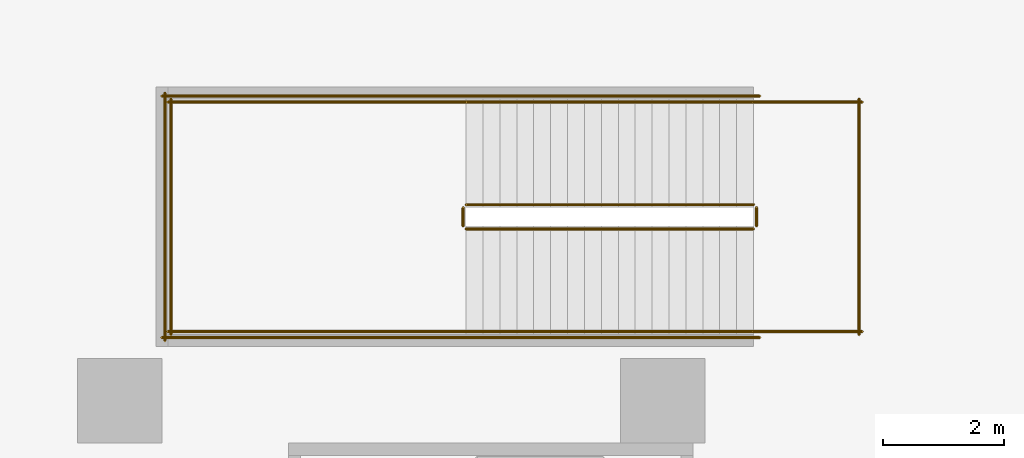
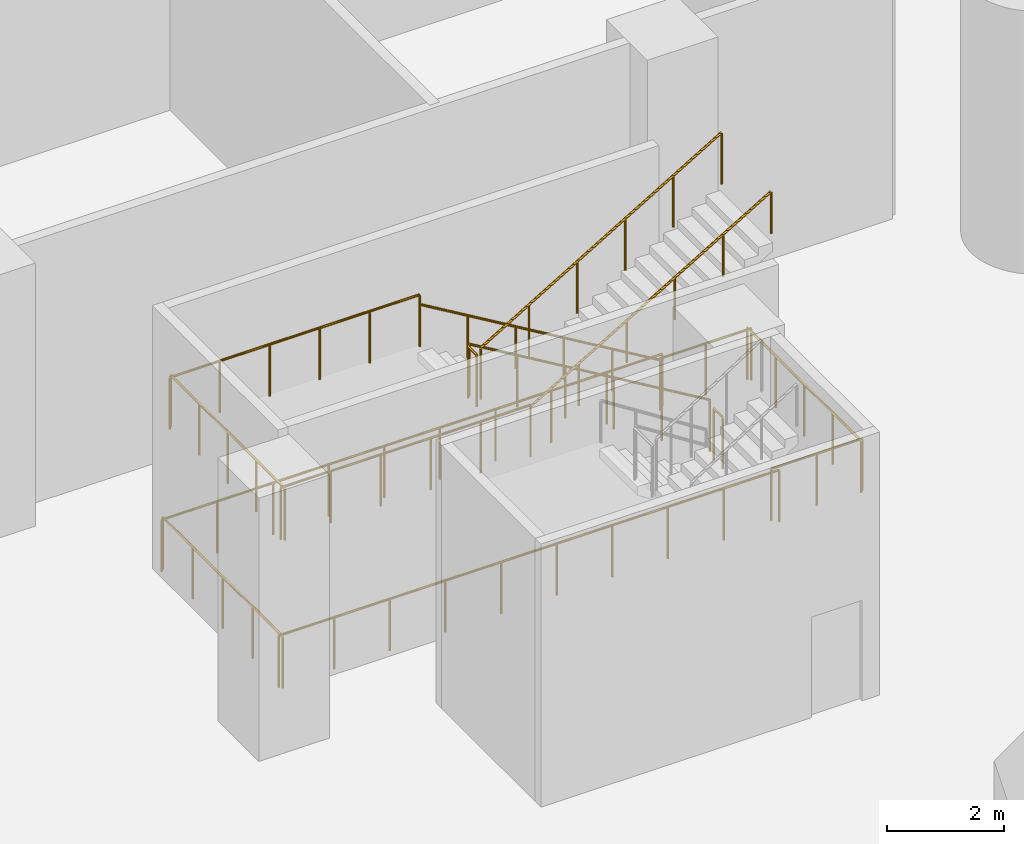
# One storey, part 47 of 52: 15 railings.
"""IFC4 building model written with IfcOpenShell, lengths in metres."""

import ifcopenshell
import ifcopenshell.guid

model = None  # the IFC model being written
_history = None  # IfcOwnerHistory: only IFC2X3 demands one
_inside = {}  # id of a spatial element -> (the spatial element, [elements in it])
_under = {}  # id of a project, library or spatial element -> (it, [spatial elements below it])
_declared = {}  # id of a project -> (the project, [libraries it declares])
_typed = {}  # id of a type object -> (the type object, [elements of that type])
_made_of = {}  # id of a material, layer set ... -> (it, [elements and type objects made of it])


def new_model(schema):
    """Start an empty IFC model of exactly this schema.

    Asked for "IFC4X3", IfcOpenShell would pick the latest addendum, in which some entities
    have other attributes; the version numbers below select the first issue.
    IFC2X3 requires an IfcOwnerHistory on every rooted entity: one is made here for all.
    """
    global model, _history
    if schema == "IFC4X3":
        model = ifcopenshell.file(schema_version=(4, 3, 0, 0))
    else:
        model = ifcopenshell.file(schema=schema)
    _inside.clear()
    _under.clear()
    _declared.clear()
    _typed.clear()
    _made_of.clear()
    _history = None
    if model.schema == "IFC2X3":
        org = make("IfcOrganization", Name="unknown")
        user = make(
            "IfcPersonAndOrganization",
            ThePerson=make("IfcPerson", FamilyName="unknown"),
            TheOrganization=org,
        )
        app = make(
            "IfcApplication",
            ApplicationDeveloper=org,
            Version="unknown",
            ApplicationFullName="unknown",
            ApplicationIdentifier="unknown",
        )
        _history = make(
            "IfcOwnerHistory",
            OwningUser=user,
            OwningApplication=app,
            ChangeAction="ADDED",
            CreationDate=0,
        )
    return model


def make(cls, **values):
    """One entity of the class cls with the attributes given. An attribute that is None is left unset."""
    return model.create_entity(
        cls, **{name: value for name, value in values.items() if value is not None}
    )


def rooted(cls, **values):
    """An entity with a GlobalId (a new one), such as an element, a storey or a relation."""
    return make(cls, GlobalId=ifcopenshell.guid.new(), OwnerHistory=_history, **values)


def si_unit(unit_type, name, prefix=None):
    """IfcSIUnit, for example si_unit("LENGTHUNIT", "METRE", prefix="MILLI")."""
    return make("IfcSIUnit", UnitType=unit_type, Prefix=prefix, Name=name)


def assignment(units):
    """IfcUnitAssignment: the units of a project."""
    return None if units is None else make("IfcUnitAssignment", Units=units)


def point(xyz):
    """IfcCartesianPoint."""
    return None if xyz is None else make("IfcCartesianPoint", Coordinates=xyz)


def direction(xyz):
    """IfcDirection."""
    return None if xyz is None else make("IfcDirection", DirectionRatios=xyz)


def frame(location, z_axis=None, x_axis=None):
    """IfcAxis2Placement3D, a coordinate frame: its origin and axes. An axis left out is left unset."""
    return make(
        "IfcAxis2Placement3D",
        Location=point(location),
        Axis=direction(z_axis),
        RefDirection=direction(x_axis),
    )


def frame_2d(location, x_axis=None):
    """IfcAxis2Placement2D, a coordinate frame in the plane: its origin and x axis."""
    return make(
        "IfcAxis2Placement2D", Location=point(location), RefDirection=direction(x_axis)
    )


def origin():
    """The frame at (0, 0, 0) with its axes left unset."""
    return frame((0.0, 0.0, 0.0))


def origin_2d():
    """The frame at (0, 0) in the plane with its x axis left unset."""
    return frame_2d((0.0, 0.0))


def place(relative_to, where):
    """IfcLocalPlacement: puts the frame where relative to a parent placement (None: the world)."""
    return make(
        "IfcLocalPlacement", PlacementRelTo=relative_to, RelativePlacement=where
    )


def context(
    kind, dimensions, precision=None, world=None, true_north=None, identifier=None
):
    """IfcGeometricRepresentationContext, for example the 3D "Model" context."""
    return make(
        "IfcGeometricRepresentationContext",
        ContextIdentifier=identifier,
        ContextType=kind,
        CoordinateSpaceDimension=dimensions,
        Precision=precision,
        WorldCoordinateSystem=world,
        TrueNorth=true_north,
    )


def subcontext(parent, identifier, kind, view, scale=None):
    """IfcGeometricRepresentationSubContext, for example "Body" below "Model"."""
    return make(
        "IfcGeometricRepresentationSubContext",
        ContextIdentifier=identifier,
        ContextType=kind,
        ParentContext=parent,
        TargetScale=scale,
        TargetView=view,
    )


def project(units=None, contexts=None):
    """IfcProject with its units and contexts."""
    return rooted(
        "IfcProject",
        Name="project",
        RepresentationContexts=contexts,
        UnitsInContext=assignment(units),
    )


def spatial(cls, under=None, at=None, **own):
    """A site, building, storey or space (cls), placed at a placement, below another one or the project."""
    s = rooted(cls, ObjectPlacement=at, **own)
    if under is not None:
        _under.setdefault(under.id(), (under, []))[1].append(s)
    return s


def profile(cls, at=None, kind="AREA", **sizes):
    """A parametric profile (cls). Its sizes go by their IFC names, for example OverallWidth=200.0."""
    return make(cls, ProfileType=kind, Position=at, **sizes)


def circle(**sizes):
    """IfcCircleProfileDef."""
    return profile("IfcCircleProfileDef", **sizes)


def extrude(swept, where, along, depth):
    """IfcExtrudedAreaSolid: the profile swept, set in the frame where, extruded along a direction by depth."""
    return make(
        "IfcExtrudedAreaSolid",
        SweptArea=swept,
        Position=where,
        ExtrudedDirection=direction(along),
        Depth=depth,
    )


def shape(context_of_items, identifier, shape_type, items):
    """IfcShapeRepresentation: the items that make up one representation, for example the "Body"."""
    return make(
        "IfcShapeRepresentation",
        ContextOfItems=context_of_items,
        RepresentationIdentifier=identifier,
        RepresentationType=shape_type,
        Items=items,
    )


def material(Name=None, Category=None):
    """IfcMaterial."""
    return make("IfcMaterial", Name=Name, Category=Category)


def made_of(thing, what):
    """Note that an element or type object is made of a material, layer set ...; save() writes the relation."""
    if what is not None:
        _made_of.setdefault(what.id(), (what, []))[1].append(thing)
    return thing


def type_object(cls, material=None, **own):
    """A type object (cls), such as IfcWallType, which elements share."""
    return made_of(rooted(cls, **own), material)


def element(
    cls,
    number,
    at=None,
    inside=None,
    cuts=None,
    type_object=None,
    material=None,
    context=None,
    identifier="Body",
    shape_type=None,
    held_by="IfcProductDefinitionShape",
    body=None,
    shapes=None,
    **own,
):
    """One element of the class cls, such as IfcWall. Its Tag is "e" and its number.

    at: its placement. inside: the storey or other place that contains it. cuts: it is an
    opening in that element (IfcRelVoidsElement). A single representation is given by context,
    identifier, shape_type and body (its items); several are given by shapes. held_by: the class
    of the entity that holds the representations. save() writes the other relations.
    """
    e = rooted(cls, Tag="e%d" % number, ObjectPlacement=at, **own)
    if body is not None:
        shapes = [shape(context, identifier, shape_type, body)]
    if shapes is not None:
        e.Representation = make(held_by, Representations=shapes)
    if inside is not None:
        _inside.setdefault(inside.id(), (inside, []))[1].append(e)
    if cuts is not None:
        rooted(
            "IfcRelVoidsElement", RelatingBuildingElement=cuts, RelatedOpeningElement=e
        )
    if type_object is not None:
        _typed.setdefault(type_object.id(), (type_object, []))[1].append(e)
    return made_of(e, material)


def aggregate(whole, parts):
    """IfcRelAggregates: a whole, such as a stair, and the parts it consists of."""
    return rooted("IfcRelAggregates", RelatingObject=whole, RelatedObjects=parts)


def save(model, path):
    """Write the relations noted so far, then the file.

    IfcRelAggregates (storeys below a building ...), IfcRelContainedInSpatialStructure (elements
    in a storey), IfcRelDefinesByType, IfcRelAssociatesMaterial and IfcRelDeclares: one each for
    every whole, place, type object, material and project.
    """
    for whole, parts in _under.values():
        aggregate(whole, parts)
    for where, things in _inside.values():
        rooted(
            "IfcRelContainedInSpatialStructure",
            RelatedElements=things,
            RelatingStructure=where,
        )
    for kind, things in _typed.values():
        rooted("IfcRelDefinesByType", RelatedObjects=things, RelatingType=kind)
    for what, things in _made_of.values():
        rooted("IfcRelAssociatesMaterial", RelatedObjects=things, RelatingMaterial=what)
    for by, libraries in _declared.values():
        rooted("IfcRelDeclares", RelatingContext=by, RelatedDefinitions=libraries)
    model.write(path)


model = new_model("IFC4")

# Units and contexts
model_context = context("Model", 3, precision=1e-05, world=origin(), true_north=direction((0.0, 1.0)))
body_context = subcontext(model_context, "Body", "Model", "MODEL_VIEW")
ifc_project = project(units=[si_unit("LENGTHUNIT", "METRE"), si_unit("AREAUNIT", "SQUARE_METRE"), si_unit("VOLUMEUNIT", "CUBIC_METRE"), si_unit("PLANEANGLEUNIT", "RADIAN"), si_unit("MASSUNIT", "GRAM", prefix="KILO")], contexts=[model_context])

# Site, building, storey
site_placement = place(None, origin())
site = spatial("IfcSite", under=ifc_project, at=site_placement, CompositionType="ELEMENT")
building_placement = place(site_placement, origin())
building = spatial("IfcBuilding", under=site, at=building_placement, Name="Tamarind Cross Interchange Tower", CompositionType="ELEMENT")
storey_placement = place(building_placement, frame((0.0, 0.0, 9.0)))
storey = spatial("IfcBuildingStorey", under=building, at=storey_placement, Name="L01", CompositionType="ELEMENT", Elevation=9.0)

# Railings
ifc_material_1 = material(Name="Public stair guard")
railing_type_1 = type_object("IfcRailingType", Name="Public stair guard", PredefinedType="GUARDRAIL", material=ifc_material_1)
railing_1_placement = place(storey_placement, frame((-28.800048828125, 8.75, 0.166748046875)))
element("IfcRailing", 1, at=railing_1_placement, inside=storey, type_object=railing_type_1, Name="L01 PS-W stair guard 1", PredefinedType="GUARDRAIL", context=body_context, shape_type="SweptSolid", body=[
    extrude(circle(Radius=0.02392578125, at=origin_2d()), frame((0.0, 0.0, 1.076171875), z_axis=(-0.859299802514, 0.0, 0.511472237174), x_axis=(0.0, -1.0, 0.0)), (0.0, 0.0, 1.0), 5.539306640625),
    extrude(circle(Radius=0.02099609375, at=origin_2d()), origin(), (0.0, 0.0, 1.0), 1.052001953125),
    extrude(circle(Radius=0.02099609375, at=origin_2d()), frame((-0.951904296875, 0.0, 0.566650390625)), (0.0, 0.0, 1.0), 1.052001953125),
    extrude(circle(Radius=0.02099609375, at=origin_2d()), frame((-1.904052734375, 0.0, 1.13330078125)), (0.0, 0.0, 1.0), 1.052001953125),
    extrude(circle(Radius=0.02099609375, at=origin_2d()), frame((-2.85595703125, 0.0, 1.699951171875)), (0.0, 0.0, 1.0), 1.052001953125),
    extrude(circle(Radius=0.02099609375, at=origin_2d()), frame((-3.80810546875, 0.0, 2.2666015625)), (0.0, 0.0, 1.0), 1.052001953125),
    extrude(circle(Radius=0.02099609375, at=origin_2d()), frame((-4.760009765625, 0.0, 2.833251953125)), (0.0, 0.0, 1.0), 1.052001953125),
])
railing_2_placement = place(storey_placement, frame((-33.610107421875, 8.699951171875, 3.0)))
element("IfcRailing", 2, at=railing_2_placement, inside=storey, type_object=railing_type_1, Name="L01 PS-W stair guard 2", PredefinedType="GUARDRAIL", context=body_context, shape_type="SweptSolid", body=[
    extrude(circle(Radius=0.02392578125, at=origin_2d()), frame((0.0, 0.0, 1.076171875), z_axis=(0.0, -1.0, 0.0), x_axis=(1.0, 0.0, 0.0)), (0.0, 0.0, 1.0), 0.300048828125),
    extrude(circle(Radius=0.02099609375, at=origin_2d()), origin(), (0.0, 0.0, 1.0), 1.052001953125),
    extrude(circle(Radius=0.02099609375, at=origin_2d()), frame((0.0, -0.300048828125, 0.0)), (0.0, 0.0, 1.0), 1.052001953125),
])
for number, where, name in (
    (3, (-33.56005859375, 10.449951171875, 3.0), "L01 PS-W stair guard 3"),
    (4, (-33.56005859375, 6.64990234375, 3.0), "L01 PS-W stair guard 4"),
):
    element("IfcRailing", number, at=place(storey_placement, frame(where)), inside=storey, type_object=railing_type_1, Name=name, PredefinedType="GUARDRAIL", context=body_context, shape_type="SweptSolid", body=[
        extrude(circle(Radius=0.02392578125, at=origin_2d()), frame((0.0, 0.0, 1.076171875), z_axis=(-1.0, 0.0, 0.0), x_axis=(0.0, -1.0, 0.0)), (0.0, 0.0, 1.0), 4.93994140625),
        extrude(circle(Radius=0.02099609375, at=origin_2d()), origin(), (0.0, 0.0, 1.0), 1.052001953125),
        extrude(circle(Radius=0.02099609375, at=origin_2d()), frame((-0.988037109375, 0.0, 0.0)), (0.0, 0.0, 1.0), 1.052001953125),
        extrude(circle(Radius=0.02099609375, at=origin_2d()), frame((-1.97607421875, 0.0, 0.0)), (0.0, 0.0, 1.0), 1.052001953125),
        extrude(circle(Radius=0.02099609375, at=origin_2d()), frame((-2.9638671875, 0.0, 0.0)), (0.0, 0.0, 1.0), 1.052001953125),
        extrude(circle(Radius=0.02099609375, at=origin_2d()), frame((-3.951904296875, 0.0, 0.0)), (0.0, 0.0, 1.0), 1.052001953125),
        extrude(circle(Radius=0.02099609375, at=origin_2d()), frame((-4.93994140625, 0.0, 0.0)), (0.0, 0.0, 1.0), 1.052001953125),
    ])
railing_3_placement = place(storey_placement, frame((-38.449951171875, 10.5, 3.0)))
element("IfcRailing", 5, at=railing_3_placement, inside=storey, type_object=railing_type_1, Name="L01 PS-W stair guard 5", PredefinedType="GUARDRAIL", context=body_context, shape_type="SweptSolid", body=[
    extrude(circle(Radius=0.02392578125, at=origin_2d()), frame((0.0, 0.0, 1.076171875), z_axis=(0.0, -1.0, 0.0), x_axis=(1.0, 0.0, 0.0)), (0.0, 0.0, 1.0), 3.89990234375),
    extrude(circle(Radius=0.02099609375, at=origin_2d()), origin(), (0.0, 0.0, 1.0), 1.052001953125),
    extrude(circle(Radius=0.02099609375, at=origin_2d()), frame((0.0, -0.97509765625, 0.0)), (0.0, 0.0, 1.0), 1.052001953125),
    extrude(circle(Radius=0.02099609375, at=origin_2d()), frame((0.0, -1.949951171875, 0.0)), (0.0, 0.0, 1.0), 1.052001953125),
    extrude(circle(Radius=0.02099609375, at=origin_2d()), frame((0.0, -2.9248046875, 0.0)), (0.0, 0.0, 1.0), 1.052001953125),
    extrude(circle(Radius=0.02099609375, at=origin_2d()), frame((0.0, -3.89990234375, 0.0)), (0.0, 0.0, 1.0), 1.052001953125),
])
railing_4_placement = place(storey_placement, frame((-33.56005859375, 8.35009765625, 3.166748046875)))
element("IfcRailing", 6, at=railing_4_placement, inside=storey, type_object=railing_type_1, Name="L01 PS-W stair guard 6", PredefinedType="GUARDRAIL", context=body_context, shape_type="SweptSolid", body=[
    extrude(circle(Radius=0.02392578125, at=origin_2d()), frame((0.0, 0.0, 1.076171875), z_axis=(0.859299802514, 0.0, 0.511472237174), x_axis=(0.0, 1.0, 0.0)), (0.0, 0.0, 1.0), 5.539306640625),
    extrude(circle(Radius=0.02099609375, at=origin_2d()), origin(), (0.0, 0.0, 1.0), 1.052001953125),
    extrude(circle(Radius=0.02099609375, at=origin_2d()), frame((0.951904296875, 0.0, 0.566650390625)), (0.0, 0.0, 1.0), 1.052001953125),
    extrude(circle(Radius=0.02099609375, at=origin_2d()), frame((1.904052734375, 0.0, 1.13330078125)), (0.0, 0.0, 1.0), 1.052001953125),
    extrude(circle(Radius=0.02099609375, at=origin_2d()), frame((2.85595703125, 0.0, 1.699951171875)), (0.0, 0.0, 1.0), 1.052001953125),
    extrude(circle(Radius=0.02099609375, at=origin_2d()), frame((3.80810546875, 0.0, 2.2666015625)), (0.0, 0.0, 1.0), 1.052001953125),
    extrude(circle(Radius=0.02099609375, at=origin_2d()), frame((4.760009765625, 0.0, 2.833251953125)), (0.0, 0.0, 1.0), 1.052001953125),
])
railing_5_placement = place(storey_placement, frame((-28.75, 8.699951171875, 0.0)))
element("IfcRailing", 7, at=railing_5_placement, inside=storey, type_object=railing_type_1, Name="L01 PS-W stair guard 7", PredefinedType="GUARDRAIL", context=body_context, shape_type="SweptSolid", body=[
    extrude(circle(Radius=0.02392578125, at=origin_2d()), frame((0.0, 0.0, 1.076171875), z_axis=(0.0, -1.0, 0.0), x_axis=(1.0, 0.0, 0.0)), (0.0, 0.0, 1.0), 0.300048828125),
    extrude(circle(Radius=0.02099609375, at=origin_2d()), origin(), (0.0, 0.0, 1.0), 1.052001953125),
    extrude(circle(Radius=0.02099609375, at=origin_2d()), frame((0.0, -0.300048828125, 0.0)), (0.0, 0.0, 1.0), 1.052001953125),
])
for number, where, name in (
    (8, (-27.0, 10.449951171875, 0.0), "L01 PS-W stair guard 8"),
    (9, (-27.0, 6.64990234375, 0.0), "L01 PS-W stair guard 9"),
):
    element("IfcRailing", number, at=place(storey_placement, frame(where)), inside=storey, type_object=railing_type_1, Name=name, PredefinedType="GUARDRAIL", context=body_context, shape_type="SweptSolid", body=[
        extrude(circle(Radius=0.02392578125, at=origin_2d()), frame((0.0, 0.0, 1.076171875), z_axis=(-1.0, 0.0, 0.0), x_axis=(0.0, -1.0, 0.0)), (0.0, 0.0, 1.0), 1.800048828125),
        extrude(circle(Radius=0.02099609375, at=origin_2d()), origin(), (0.0, 0.0, 1.0), 1.052001953125),
        extrude(circle(Radius=0.02099609375, at=origin_2d()), frame((-0.89990234375, 0.0, 0.0)), (0.0, 0.0, 1.0), 1.052001953125),
        extrude(circle(Radius=0.02099609375, at=origin_2d()), frame((-1.800048828125, 0.0, 0.0)), (0.0, 0.0, 1.0), 1.052001953125),
    ])
railing_6_placement = place(storey_placement, frame((-27.050048828125, 10.5, 0.0)))
element("IfcRailing", 10, at=railing_6_placement, inside=storey, type_object=railing_type_1, Name="L01 PS-W stair guard 10", PredefinedType="GUARDRAIL", context=body_context, shape_type="SweptSolid", body=[
    extrude(circle(Radius=0.02392578125, at=origin_2d()), frame((0.0, 0.0, 1.076171875), z_axis=(0.0, -1.0, 0.0), x_axis=(1.0, 0.0, 0.0)), (0.0, 0.0, 1.0), 3.89990234375),
    extrude(circle(Radius=0.02099609375, at=origin_2d()), origin(), (0.0, 0.0, 1.0), 1.052001953125),
    extrude(circle(Radius=0.02099609375, at=origin_2d()), frame((0.0, -0.97509765625, 0.0)), (0.0, 0.0, 1.0), 1.052001953125),
    extrude(circle(Radius=0.02099609375, at=origin_2d()), frame((0.0, -1.949951171875, 0.0)), (0.0, 0.0, 1.0), 1.052001953125),
    extrude(circle(Radius=0.02099609375, at=origin_2d()), frame((0.0, -2.9248046875, 0.0)), (0.0, 0.0, 1.0), 1.052001953125),
    extrude(circle(Radius=0.02099609375, at=origin_2d()), frame((0.0, -3.89990234375, 0.0)), (0.0, 0.0, 1.0), 1.052001953125),
])
for number, where, name in (
    (11, (-28.699951171875, 10.550048828125, 0.0), "L01 PS-W stair guard 11"),
    (12, (-28.699951171875, 6.550048828125, 0.0), "L01 PS-W stair guard 12"),
):
    element("IfcRailing", number, at=place(storey_placement, frame(where)), inside=storey, type_object=railing_type_1, Name=name, PredefinedType="GUARDRAIL", context=body_context, shape_type="SweptSolid", body=[
        extrude(circle(Radius=0.02392578125, at=origin_2d()), frame((0.0, 0.0, 1.076171875), z_axis=(-1.0, 0.0, 0.0), x_axis=(0.0, -1.0, 0.0)), (0.0, 0.0, 1.0), 9.900146484375),
        extrude(circle(Radius=0.02099609375, at=origin_2d()), origin(), (0.0, 0.0, 1.0), 1.052001953125),
        extrude(circle(Radius=0.02099609375, at=origin_2d()), frame((-1.10009765625, 0.0, 0.0)), (0.0, 0.0, 1.0), 1.052001953125),
        extrude(circle(Radius=0.02099609375, at=origin_2d()), frame((-2.199951171875, 0.0, 0.0)), (0.0, 0.0, 1.0), 1.052001953125),
        extrude(circle(Radius=0.02099609375, at=origin_2d()), frame((-3.300048828125, 0.0, 0.0)), (0.0, 0.0, 1.0), 1.052001953125),
        extrude(circle(Radius=0.02099609375, at=origin_2d()), frame((-4.400146484375, 0.0, 0.0)), (0.0, 0.0, 1.0), 1.052001953125),
        extrude(circle(Radius=0.02099609375, at=origin_2d()), frame((-5.5, 0.0, 0.0)), (0.0, 0.0, 1.0), 1.052001953125),
        extrude(circle(Radius=0.02099609375, at=origin_2d()), frame((-6.60009765625, 0.0, 0.0)), (0.0, 0.0, 1.0), 1.052001953125),
        extrude(circle(Radius=0.02099609375, at=origin_2d()), frame((-7.7001953125, 0.0, 0.0)), (0.0, 0.0, 1.0), 1.052001953125),
        extrude(circle(Radius=0.02099609375, at=origin_2d()), frame((-8.800048828125, 0.0, 0.0)), (0.0, 0.0, 1.0), 1.052001953125),
        extrude(circle(Radius=0.02099609375, at=origin_2d()), frame((-9.900146484375, 0.0, 0.0)), (0.0, 0.0, 1.0), 1.052001953125),
    ])
railing_7_placement = place(storey_placement, frame((-38.550048828125, 10.60009765625, 0.0)))
element("IfcRailing", 13, at=railing_7_placement, inside=storey, type_object=railing_type_1, Name="L01 PS-W stair guard 13", PredefinedType="GUARDRAIL", context=body_context, shape_type="SweptSolid", body=[
    extrude(circle(Radius=0.02392578125, at=origin_2d()), frame((0.0, 0.0, 1.076171875), z_axis=(0.0, -1.0, 0.0), x_axis=(1.0, 0.0, 0.0)), (0.0, 0.0, 1.0), 4.10009765625),
    extrude(circle(Radius=0.02099609375, at=origin_2d()), origin(), (0.0, 0.0, 1.0), 1.052001953125),
    extrude(circle(Radius=0.02099609375, at=origin_2d()), frame((0.0, -1.02490234375, 0.0)), (0.0, 0.0, 1.0), 1.052001953125),
    extrude(circle(Radius=0.02099609375, at=origin_2d()), frame((0.0, -2.050048828125, 0.0)), (0.0, 0.0, 1.0), 1.052001953125),
    extrude(circle(Radius=0.02099609375, at=origin_2d()), frame((0.0, -3.0751953125, 0.0)), (0.0, 0.0, 1.0), 1.052001953125),
    extrude(circle(Radius=0.02099609375, at=origin_2d()), frame((0.0, -4.10009765625, 0.0)), (0.0, 0.0, 1.0), 1.052001953125),
])
ifc_material_2 = material(Name="Public stair handrail")
railing_type_2 = type_object("IfcRailingType", Name="Public stair handrail", PredefinedType="HANDRAIL", material=ifc_material_2)
railing_8_placement = place(storey_placement, frame((-28.800048828125, 10.449951171875, 0.166748046875)))
element("IfcRailing", 14, at=railing_8_placement, inside=storey, type_object=railing_type_2, Name="L01 PS-W stair handrail 1", PredefinedType="HANDRAIL", context=body_context, shape_type="SweptSolid", body=[
    extrude(circle(Radius=0.02392578125, at=origin_2d()), frame((0.0, 0.0, 0.8759765625), z_axis=(-0.859299802514, 0.0, 0.511472237174), x_axis=(0.0, -1.0, 0.0)), (0.0, 0.0, 1.0), 5.539306640625),
    extrude(circle(Radius=0.02099609375, at=origin_2d()), origin(), (0.0, 0.0, 1.0), 0.851806640625),
    extrude(circle(Radius=0.02099609375, at=origin_2d()), frame((-0.951904296875, 0.0, 0.566650390625)), (0.0, 0.0, 1.0), 0.851806640625),
    extrude(circle(Radius=0.02099609375, at=origin_2d()), frame((-1.904052734375, 0.0, 1.13330078125)), (0.0, 0.0, 1.0), 0.851806640625),
    extrude(circle(Radius=0.02099609375, at=origin_2d()), frame((-2.85595703125, 0.0, 1.699951171875)), (0.0, 0.0, 1.0), 0.851806640625),
    extrude(circle(Radius=0.02099609375, at=origin_2d()), frame((-3.80810546875, 0.0, 2.2666015625)), (0.0, 0.0, 1.0), 0.851806640625),
    extrude(circle(Radius=0.02099609375, at=origin_2d()), frame((-4.760009765625, 0.0, 2.833251953125)), (0.0, 0.0, 1.0), 0.851806640625),
])
railing_9_placement = place(storey_placement, frame((-33.56005859375, 6.64990234375, 3.166748046875)))
element("IfcRailing", 15, at=railing_9_placement, inside=storey, type_object=railing_type_2, Name="L01 PS-W stair handrail 2", PredefinedType="HANDRAIL", context=body_context, shape_type="SweptSolid", body=[
    extrude(circle(Radius=0.02392578125, at=origin_2d()), frame((0.0, 0.0, 0.8759765625), z_axis=(0.859299802514, 0.0, 0.511472237174), x_axis=(0.0, 1.0, 0.0)), (0.0, 0.0, 1.0), 5.539306640625),
    extrude(circle(Radius=0.02099609375, at=origin_2d()), origin(), (0.0, 0.0, 1.0), 0.851806640625),
    extrude(circle(Radius=0.02099609375, at=origin_2d()), frame((0.951904296875, 0.0, 0.566650390625)), (0.0, 0.0, 1.0), 0.851806640625),
    extrude(circle(Radius=0.02099609375, at=origin_2d()), frame((1.904052734375, 0.0, 1.13330078125)), (0.0, 0.0, 1.0), 0.851806640625),
    extrude(circle(Radius=0.02099609375, at=origin_2d()), frame((2.85595703125, 0.0, 1.699951171875)), (0.0, 0.0, 1.0), 0.851806640625),
    extrude(circle(Radius=0.02099609375, at=origin_2d()), frame((3.80810546875, 0.0, 2.2666015625)), (0.0, 0.0, 1.0), 0.851806640625),
    extrude(circle(Radius=0.02099609375, at=origin_2d()), frame((4.760009765625, 0.0, 2.833251953125)), (0.0, 0.0, 1.0), 0.851806640625),
])

save(model, "model.ifc")
